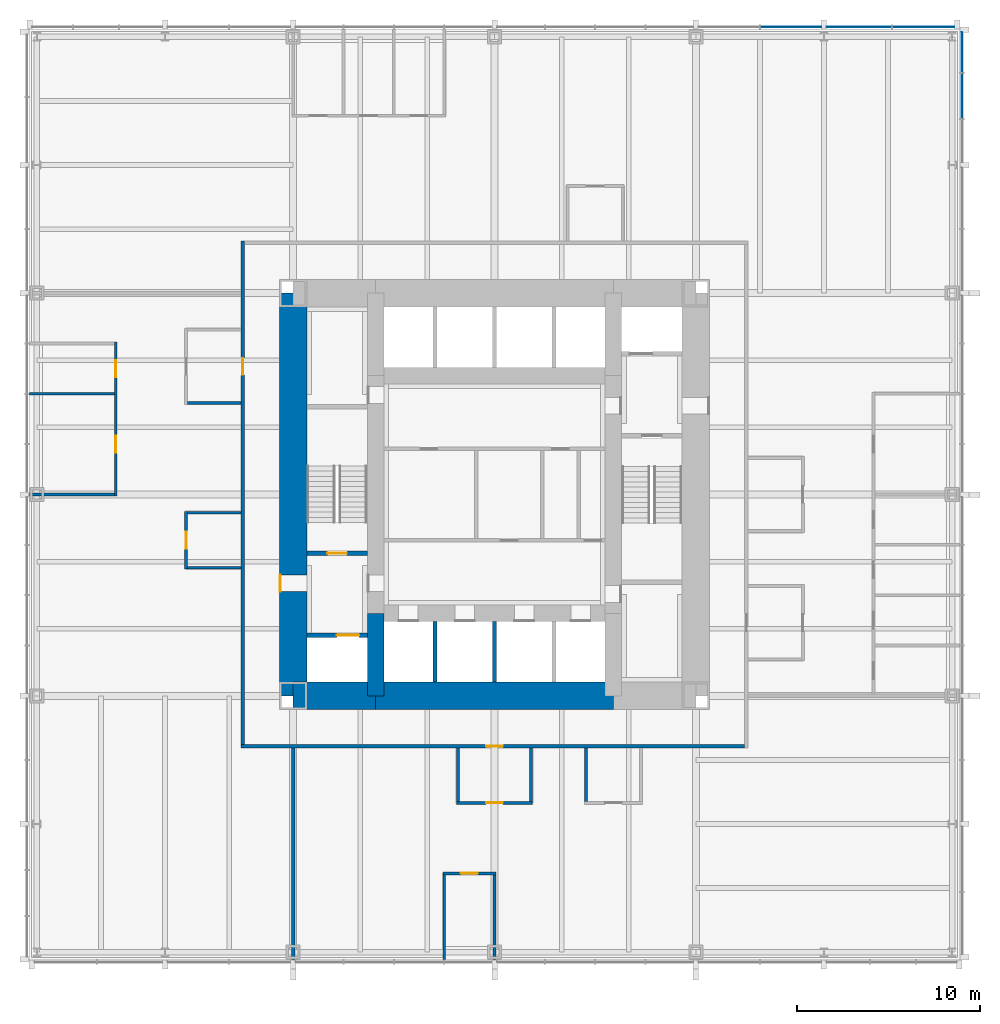
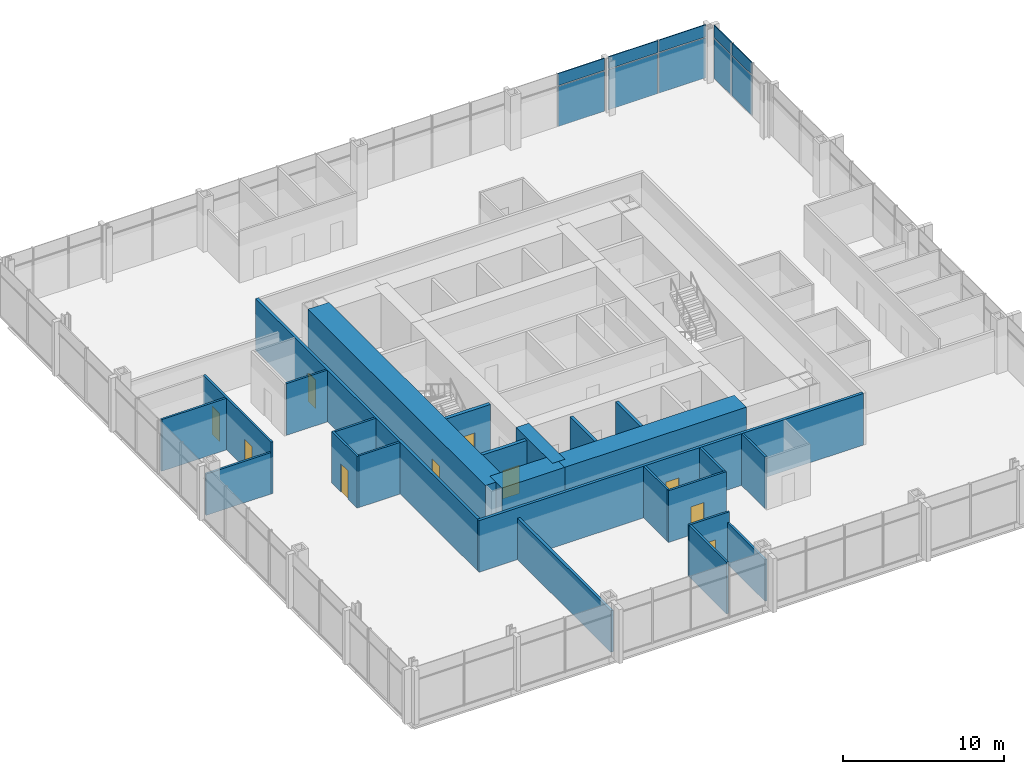
# One storey, part 9 of 12: 25 walls, 10 doors, 10 plates, 10 openings, 2 elements without a shape of their own.
"""IFC4 building model written with IfcOpenShell, lengths in metres."""

from ifc_helpers import new_model, si_unit, direction, frame, frame_2d, origin, origin_2d, place, context, subcontext, project, spatial, rectangle, extrude, material, layer, layer_set, type_object, element, fill, aggregate, save


model = new_model("IFC4")

# Units and contexts
model_context = context("Model", 3, precision=1e-05, world=origin(), true_north=direction((0.0, 1.0)))
body_context = subcontext(model_context, "Body", "Model", "MODEL_VIEW")
ifc_project = project(units=[si_unit("LENGTHUNIT", "METRE"), si_unit("AREAUNIT", "SQUARE_METRE"), si_unit("VOLUMEUNIT", "CUBIC_METRE"), si_unit("PLANEANGLEUNIT", "RADIAN"), si_unit("MASSUNIT", "GRAM", prefix="KILO")], contexts=[model_context])

# Site, building, storey
site_placement = place(None, origin())
site = spatial("IfcSite", under=ifc_project, at=site_placement, CompositionType="ELEMENT")
building_placement = place(site_placement, origin())
building = spatial("IfcBuilding", under=site, at=building_placement, Name="Trevanion Tower", CompositionType="ELEMENT")
storey_placement = place(building_placement, frame((0.0, 0.0, 32.39990234375)))
storey = spatial("IfcBuildingStorey", under=building, at=storey_placement, Name="L07", CompositionType="ELEMENT", Elevation=32.39990234375)

# Curtain wall, plates
ifc_material_1 = material(Name="Aluminium and glass", Category="aluminium")
curtain_wall_type = type_object("IfcCurtainWallType", Name="CW1 curtain wall", PredefinedType="USERDEFINED", material=ifc_material_1)
curtain_wall_1_placement = place(storey_placement, origin())
curtain_wall_1 = element("IfcCurtainWall", 1, at=curtain_wall_1_placement, inside=storey, type_object=curtain_wall_type, Name="CW1 L07 0", ObjectType="UNITISED CURTAIN WALL", PredefinedType="USERDEFINED")
ifc_material_2 = material(Name="Aluminium spandrel panel", Category="aluminium")
ifc_layer_1 = layer(ifc_material_2, 0.06005859375)
ifc_layer_set_1 = layer_set([ifc_layer_1], Name="CW1 spandrel panel")
plate_type_1 = type_object("IfcPlateType", Name="CW1 spandrel panel", PredefinedType="CURTAIN_PANEL", material=ifc_layer_set_1)
plate_1_placement = place(storey_placement, frame((25.550048828125, 21.77490234375, 2.99755859375), z_axis=(0.0, 0.0, 1.0), x_axis=(0.0, 1.0, 0.0)))
plate_1 = element("IfcPlate", 2, at=plate_1_placement, type_object=plate_type_1, Name="CW1 panel 16.2", PredefinedType="CURTAIN_PANEL", context=body_context, shape_type="SweptSolid", body=[
    extrude(rectangle(XDim=2.441650390625, YDim=0.06005859375, at=origin_2d()), origin(), (0.0, 0.0, 1.0), 0.91259765625),
])
plate_2_placement = place(storey_placement, frame((25.550048828125, 24.160400390625, 2.99755859375), z_axis=(0.0, 0.0, 1.0), x_axis=(0.0, 1.0, 0.0)))
plate_2 = element("IfcPlate", 3, at=plate_2_placement, type_object=plate_type_1, Name="CW1 panel 17.2", PredefinedType="CURTAIN_PANEL", context=body_context, shape_type="SweptSolid", body=[
    extrude(rectangle(XDim=2.17919921875, YDim=0.06005859375, at=origin_2d()), origin(), (0.0, 0.0, 1.0), 0.91259765625),
])

curtain_wall_2_placement = place(storey_placement, origin())
curtain_wall_2 = element("IfcCurtainWall", 4, at=curtain_wall_2_placement, inside=storey, type_object=curtain_wall_type, Name="CW1 L07 1", ObjectType="UNITISED CURTAIN WALL", PredefinedType="USERDEFINED")
plate_3_placement = place(storey_placement, frame((23.433837890625, 25.550048828125, 2.99755859375), z_axis=(0.0, 0.0, 1.0), x_axis=(-1.0, 0.0, 0.0)))
plate_3 = element("IfcPlate", 5, at=plate_3_placement, type_object=plate_type_1, Name="CW1 panel 1.2", PredefinedType="CURTAIN_PANEL", context=body_context, shape_type="SweptSolid", body=[
    extrude(rectangle(XDim=3.37255859375, YDim=0.06005859375, at=origin_2d()), origin(), (0.0, 0.0, 1.0), 0.91259765625),
])
plate_4_placement = place(storey_placement, frame((19.911376953125, 25.550048828125, 2.99755859375), z_axis=(0.0, 0.0, 1.0), x_axis=(-1.0, 0.0, 0.0)))
plate_4 = element("IfcPlate", 6, at=plate_4_placement, type_object=plate_type_1, Name="CW1 panel 2.2", PredefinedType="CURTAIN_PANEL", context=body_context, shape_type="SweptSolid", body=[
    extrude(rectangle(XDim=3.5224609375, YDim=0.06005859375, at=origin_2d()), origin(), (0.0, 0.0, 1.0), 0.91259765625),
])
plate_5_placement = place(storey_placement, frame((16.19384765625, 25.550048828125, 2.99755859375), z_axis=(0.0, 0.0, 1.0), x_axis=(-1.0, 0.0, 0.0)))
plate_5 = element("IfcPlate", 7, at=plate_5_placement, type_object=plate_type_1, Name="CW1 panel 3.2", PredefinedType="CURTAIN_PANEL", context=body_context, shape_type="SweptSolid", body=[
    extrude(rectangle(XDim=3.3125, YDim=0.06005859375, at=origin_2d()), origin(), (0.0, 0.0, 1.0), 0.91259765625),
])

# Plate
ifc_material_3 = material(Name="Insulating glass unit", Category="glass")
ifc_layer_2 = layer(ifc_material_3, 0.028076171875)
ifc_layer_set_2 = layer_set([ifc_layer_2], Name="CW1 vision panel")
plate_type_2 = type_object("IfcPlateType", Name="CW1 vision panel", PredefinedType="CURTAIN_PANEL", material=ifc_layer_set_2)
plate_6_placement = place(storey_placement, frame((25.550048828125, 21.77490234375, -0.114990234375), z_axis=(0.0, 0.0, 1.0), x_axis=(0.0, 1.0, 0.0)))
plate_6 = element("IfcPlate", 8, at=plate_6_placement, type_object=plate_type_2, Name="CW1 panel 16.1", PredefinedType="CURTAIN_PANEL", context=body_context, shape_type="SweptSolid", body=[
    extrude(rectangle(XDim=2.441650390625, YDim=0.028076171875, at=origin_2d()), origin(), (0.0, 0.0, 1.0), 3.03759765625),
])

plate_7_placement = place(storey_placement, frame((25.550048828125, 24.160400390625, -0.114990234375), z_axis=(0.0, 0.0, 1.0), x_axis=(0.0, 1.0, 0.0)))
plate_7 = element("IfcPlate", 9, at=plate_7_placement, type_object=plate_type_2, Name="CW1 panel 17.1", PredefinedType="CURTAIN_PANEL", context=body_context, shape_type="SweptSolid", body=[
    extrude(rectangle(XDim=2.17919921875, YDim=0.028076171875, at=origin_2d()), origin(), (0.0, 0.0, 1.0), 3.03759765625),
])

aggregate(curtain_wall_1, [plate_6, plate_1, plate_7, plate_2])

plate_8_placement = place(storey_placement, frame((23.433837890625, 25.550048828125, -0.114990234375), z_axis=(0.0, 0.0, 1.0), x_axis=(-1.0, 0.0, 0.0)))
plate_8 = element("IfcPlate", 10, at=plate_8_placement, type_object=plate_type_2, Name="CW1 panel 1.1", PredefinedType="CURTAIN_PANEL", context=body_context, shape_type="SweptSolid", body=[
    extrude(rectangle(XDim=3.37255859375, YDim=0.028076171875, at=origin_2d()), origin(), (0.0, 0.0, 1.0), 3.03759765625),
])

plate_9_placement = place(storey_placement, frame((19.911376953125, 25.550048828125, -0.114990234375), z_axis=(0.0, 0.0, 1.0), x_axis=(-1.0, 0.0, 0.0)))
plate_9 = element("IfcPlate", 11, at=plate_9_placement, type_object=plate_type_2, Name="CW1 panel 2.1", PredefinedType="CURTAIN_PANEL", context=body_context, shape_type="SweptSolid", body=[
    extrude(rectangle(XDim=3.5224609375, YDim=0.028076171875, at=origin_2d()), origin(), (0.0, 0.0, 1.0), 3.03759765625),
])

plate_10_placement = place(storey_placement, frame((16.19384765625, 25.550048828125, -0.114990234375), z_axis=(0.0, 0.0, 1.0), x_axis=(-1.0, 0.0, 0.0)))
plate_10 = element("IfcPlate", 12, at=plate_10_placement, type_object=plate_type_2, Name="CW1 panel 3.1", PredefinedType="CURTAIN_PANEL", context=body_context, shape_type="SweptSolid", body=[
    extrude(rectangle(XDim=3.3125, YDim=0.028076171875, at=origin_2d()), origin(), (0.0, 0.0, 1.0), 3.03759765625),
])

aggregate(curtain_wall_2, [plate_8, plate_3, plate_9, plate_4, plate_10, plate_5])

# Wall, opening, door
ifc_material_4 = material(Name="Concrete 10,000 psi", Category="concrete")
ifc_layer_3 = layer(ifc_material_4, 1.5)
ifc_layer_set_3 = layer_set([ifc_layer_3], Name="CW1 core wall 1500")
wall_type_1 = type_object("IfcWallType", Name="CW1 core wall 1500", PredefinedType="SHEAR", material=ifc_layer_set_3)
wall_1_placement = place(storey_placement, frame((-11.0, 11.0, 0.0), z_axis=(0.0, 0.0, 1.0), x_axis=(0.0, -1.0, 0.0)))
wall_1 = element("IfcWall", 13, at=wall_1_placement, inside=storey, type_object=wall_type_1, Name="CW1 CW L07", PredefinedType="SHEAR", context=body_context, shape_type="SweptSolid", body=[
    extrude(rectangle(XDim=22.0, YDim=1.5, at=frame_2d((11.0, 0.0))), origin(), (0.0, 0.0, 1.0), 4.10009765625),
])
opening_1_placement = place(wall_1_placement, frame((15.392578125, 0.0, 0.0)))
opening_1 = element("IfcOpeningElement", 14, at=opening_1_placement, cuts=wall_1, Name="Opening 07-002", PredefinedType="OPENING", context=body_context, shape_type="SweptSolid", body=[
    extrude(rectangle(XDim=0.9150390625, YDim=2.134033203125, at=frame_2d((0.45751953125, 1.06689453125))), frame((0.0, 0.760009765625, 0.0), z_axis=(0.0, -1.0, 0.0), x_axis=(1.0, 0.0, 0.0)), (0.0, 0.0, 1.0), 1.52001953125),
])
ifc_material_5 = material(Name="Hollow metal, fire rated", Category="steel")
door_type_1 = type_object("IfcDoorType", Name="D3 fire lift lobby door", OperationType="SINGLE_SWING_RIGHT", PredefinedType="DOOR", material=ifc_material_5)
door_1_placement = place(opening_1_placement, origin())
door_1 = element("IfcDoor", 15, at=door_1_placement, inside=storey, type_object=door_type_1, Name="Door 07-002", OperationType="SINGLE_SWING_RIGHT", OverallHeight=2.134033203125, OverallWidth=0.9150390625, PredefinedType="DOOR", context=body_context, shape_type="SweptSolid", body=[
    extrude(rectangle(XDim=0.9150390625, YDim=2.134033203125, at=frame_2d((0.45751953125, 1.06689453125))), frame((0.0, -0.6748046875, 0.0), z_axis=(0.0, -1.0, 0.0), x_axis=(1.0, 0.0, 0.0)), (0.0, 0.0, 1.0), 0.050048828125),
])
fill(opening_1, door_1)

# Walls
wall_2_placement = place(storey_placement, frame((-11.0, -11.0, 0.0), z_axis=(0.0, 0.0, 1.0), x_axis=(1.0, 0.0, 0.0)))
element("IfcWall", 16, at=wall_2_placement, inside=storey, type_object=wall_type_1, Name="CW1 CS1 L07", PredefinedType="SHEAR", context=body_context, shape_type="SweptSolid", body=[
    extrude(rectangle(XDim=4.5, YDim=1.5, at=frame_2d((2.25, 0.0))), origin(), (0.0, 0.0, 1.0), 4.10009765625),
])
wall_3_placement = place(storey_placement, frame((-6.5, -11.0, 0.0), z_axis=(0.0, 0.0, 1.0), x_axis=(1.0, 0.0, 0.0)))
element("IfcWall", 17, at=wall_3_placement, inside=storey, type_object=wall_type_1, Name="CW1 CS2 L07", PredefinedType="SHEAR", context=body_context, shape_type="SweptSolid", body=[
    extrude(rectangle(XDim=13.0, YDim=1.5, at=frame_2d((6.5, 0.0))), origin(), (0.0, 0.0, 1.0), 4.10009765625),
])
ifc_material_6 = material(Name="Concrete 10,000 psi", Category="concrete")
ifc_layer_4 = layer(ifc_material_6, 0.89990234375)
ifc_layer_set_4 = layer_set([ifc_layer_4], Name="CW2 core wall 900")
wall_type_2 = type_object("IfcWallType", Name="CW2 core wall 900", PredefinedType="SHEAR", material=ifc_layer_set_4)
wall_4_placement = place(storey_placement, frame((-6.5, -6.5, 0.0), z_axis=(0.0, 0.0, 1.0), x_axis=(0.0, -1.0, 0.0)))
element("IfcWall", 18, at=wall_4_placement, inside=storey, type_object=wall_type_2, Name="CW2 RW3 L07", PredefinedType="SHEAR", context=body_context, shape_type="SweptSolid", body=[
    extrude(rectangle(XDim=4.5, YDim=0.89990234375, at=frame_2d((2.25, 0.0))), origin(), (0.0, 0.0, 1.0), 4.10009765625),
])

# Wall, openings, doors
ifc_material_7 = material(Name="Gypsum board on steel studs", Category="steel")
ifc_layer_5 = layer(ifc_material_7, 0.14990234375)
ifc_layer_set_5 = layer_set([ifc_layer_5], Name="PT1 partition 150")
wall_type_3 = type_object("IfcWallType", Name="PT1 partition 150", PredefinedType="PARTITIONING", material=ifc_layer_set_5)
wall_5_placement = place(storey_placement, frame((-20.699951171875, 8.324951171875, 0.0), z_axis=(0.0, 0.0, 1.0), x_axis=(0.0, -1.0, 0.0)))
wall_5 = element("IfcWall", 19, at=wall_5_placement, inside=storey, type_object=wall_type_3, Name="PT1 L07 FC2F", PredefinedType="PARTITIONING", context=body_context, shape_type="SweptSolid", body=[
    extrude(rectangle(XDim=8.39990234375, YDim=0.14990234375, at=frame_2d((4.199951171875, 0.0))), origin(), (0.0, 0.0, 1.0), 3.91015625),
])
opening_2_placement = place(wall_5_placement, frame((0.992431640625, 0.0, 0.0)))
opening_2 = element("IfcOpeningElement", 20, at=opening_2_placement, cuts=wall_5, Name="Opening 07-027", PredefinedType="OPENING", context=body_context, shape_type="SweptSolid", body=[
    extrude(rectangle(XDim=0.9150390625, YDim=2.134033203125, at=frame_2d((0.45751953125, 1.06689453125))), frame((0.0, 0.0849609375, 0.0), z_axis=(0.0, -1.0, 0.0), x_axis=(1.0, 0.0, 0.0)), (0.0, 0.0, 1.0), 0.169921875),
])
opening_3_placement = place(wall_5_placement, frame((5.117431640625, 0.0, 0.0)))
opening_3 = element("IfcOpeningElement", 21, at=opening_3_placement, cuts=wall_5, Name="Opening 07-028", PredefinedType="OPENING", context=body_context, shape_type="SweptSolid", body=[
    extrude(rectangle(XDim=0.9150390625, YDim=2.134033203125, at=frame_2d((0.45751953125, 1.06689453125))), frame((0.0, 0.0849609375, 0.0), z_axis=(0.0, -1.0, 0.0), x_axis=(1.0, 0.0, 0.0)), (0.0, 0.0, 1.0), 0.169921875),
])
ifc_material_8 = material(Name="Timber veneer, solid core", Category="wood")
door_type_2 = type_object("IfcDoorType", Name="D1 office and meeting room door", OperationType="SINGLE_SWING_LEFT", PredefinedType="DOOR", material=ifc_material_8)
door_2_placement = place(opening_2_placement, origin())
door_2 = element("IfcDoor", 22, at=door_2_placement, inside=storey, type_object=door_type_2, Name="Door 07-027", OperationType="SINGLE_SWING_LEFT", OverallHeight=2.134033203125, OverallWidth=0.9150390625, PredefinedType="DOOR", context=body_context, shape_type="SweptSolid", body=[
    extrude(rectangle(XDim=0.9150390625, YDim=2.134033203125, at=frame_2d((0.45751953125, 1.06689453125))), frame((0.0, 0.02490234375, 0.0), z_axis=(0.0, -1.0, 0.0), x_axis=(1.0, 0.0, 0.0)), (0.0, 0.0, 1.0), 0.050048828125),
])
fill(opening_2, door_2)
door_3_placement = place(opening_3_placement, origin())
door_3 = element("IfcDoor", 23, at=door_3_placement, inside=storey, type_object=door_type_2, Name="Door 07-028", OperationType="SINGLE_SWING_LEFT", OverallHeight=2.134033203125, OverallWidth=0.9150390625, PredefinedType="DOOR", context=body_context, shape_type="SweptSolid", body=[
    extrude(rectangle(XDim=0.9150390625, YDim=2.134033203125, at=frame_2d((0.45751953125, 1.06689453125))), frame((0.0, 0.02490234375, 0.0), z_axis=(0.0, -1.0, 0.0), x_axis=(1.0, 0.0, 0.0)), (0.0, 0.0, 1.0), 0.050048828125),
])
fill(opening_3, door_3)

# Walls
wall_6_placement = place(storey_placement, frame((-20.77490234375, 5.5, 0.0), z_axis=(0.0, 0.0, 1.0), x_axis=(-1.0, 0.0, 0.0)))
element("IfcWall", 24, at=wall_6_placement, inside=storey, type_object=wall_type_3, Name="PT1 L07 FC2S1", PredefinedType="PARTITIONING", context=body_context, shape_type="SweptSolid", body=[
    extrude(rectangle(XDim=4.64013671875, YDim=0.14990234375, at=frame_2d((2.320068359375, 0.0))), origin(), (0.0, 0.0, 1.0), 3.91015625),
])
wall_7_placement = place(storey_placement, frame((-20.77490234375, 0.0, 0.0), z_axis=(0.0, 0.0, 1.0), x_axis=(-1.0, 0.0, 0.0)))
element("IfcWall", 25, at=wall_7_placement, inside=storey, type_object=wall_type_3, Name="PT1 L07 FC2S3", PredefinedType="PARTITIONING", context=body_context, shape_type="SweptSolid", body=[
    extrude(rectangle(XDim=4.64013671875, YDim=0.14990234375, at=frame_2d((2.320068359375, 0.0))), origin(), (0.0, 0.0, 1.0), 3.13037109375),
])

# Wall, opening, door
wall_8_placement = place(storey_placement, frame((-2.824951171875, -20.699951171875, 0.0), z_axis=(0.0, 0.0, 1.0), x_axis=(1.0, 0.0, 0.0)))
wall_8 = element("IfcWall", 26, at=wall_8_placement, inside=storey, type_object=wall_type_3, Name="PT1 L07 FC3F", PredefinedType="PARTITIONING", context=body_context, shape_type="SweptSolid", body=[
    extrude(rectangle(XDim=2.89990234375, YDim=0.14990234375, at=frame_2d((1.449951171875, 0.0))), origin(), (0.0, 0.0, 1.0), 3.91015625),
])
opening_4_placement = place(wall_8_placement, frame((0.992431640625, 0.0, 0.0)))
opening_4 = element("IfcOpeningElement", 27, at=opening_4_placement, cuts=wall_8, Name="Opening 07-029", PredefinedType="OPENING", context=body_context, shape_type="SweptSolid", body=[
    extrude(rectangle(XDim=0.9150390625, YDim=2.134033203125, at=frame_2d((0.45751953125, 1.06689453125))), frame((0.0, 0.0849609375, 0.0), z_axis=(0.0, -1.0, 0.0), x_axis=(1.0, 0.0, 0.0)), (0.0, 0.0, 1.0), 0.169921875),
])
door_4_placement = place(opening_4_placement, origin())
door_4 = element("IfcDoor", 28, at=door_4_placement, inside=storey, type_object=door_type_2, Name="Door 07-029", OperationType="SINGLE_SWING_LEFT", OverallHeight=2.134033203125, OverallWidth=0.9150390625, PredefinedType="DOOR", context=body_context, shape_type="SweptSolid", body=[
    extrude(rectangle(XDim=0.9150390625, YDim=2.134033203125, at=frame_2d((0.45751953125, 1.06689453125))), frame((0.0, 0.02490234375, 0.0), z_axis=(0.0, -1.0, 0.0), x_axis=(1.0, 0.0, 0.0)), (0.0, 0.0, 1.0), 0.050048828125),
])
fill(opening_4, door_4)

# Walls
wall_9_placement = place(storey_placement, frame((-2.75, -20.77490234375, 0.0), z_axis=(0.0, 0.0, 1.0), x_axis=(0.0, -1.0, 0.0)))
element("IfcWall", 29, at=wall_9_placement, inside=storey, type_object=wall_type_3, Name="PT1 L07 FC3S0", PredefinedType="PARTITIONING", context=body_context, shape_type="SweptSolid", body=[
    extrude(rectangle(XDim=4.64013671875, YDim=0.14990234375, at=frame_2d((2.320068359375, 0.0))), origin(), (0.0, 0.0, 1.0), 3.91015625),
])
wall_10_placement = place(storey_placement, frame((0.0, -20.77490234375, 0.0), z_axis=(0.0, 0.0, 1.0), x_axis=(0.0, -1.0, 0.0)))
element("IfcWall", 30, at=wall_10_placement, inside=storey, type_object=wall_type_3, Name="PT1 L07 FC3S1", PredefinedType="PARTITIONING", context=body_context, shape_type="SweptSolid", body=[
    extrude(rectangle(XDim=4.64013671875, YDim=0.14990234375, at=frame_2d((2.320068359375, 0.0))), origin(), (0.0, 0.0, 1.0), 3.13037109375),
])
wall_11_placement = place(storey_placement, frame((-16.77490234375, 5.0, 0.0), z_axis=(0.0, 0.0, 1.0), x_axis=(1.0, 0.0, 0.0)))
element("IfcWall", 31, at=wall_11_placement, inside=storey, type_object=wall_type_3, Name="PT1 L07 IN20S1", PredefinedType="PARTITIONING", context=body_context, shape_type="SweptSolid", body=[
    extrude(rectangle(XDim=2.9248046875, YDim=0.14990234375, at=frame_2d((1.46240234375, 0.0))), origin(), (0.0, 0.0, 1.0), 3.91015625),
])

# Wall, opening, door
wall_12_placement = place(storey_placement, frame((-16.85009765625, -0.925048828125, 0.0), z_axis=(0.0, 0.0, 1.0), x_axis=(0.0, -1.0, 0.0)))
wall_12 = element("IfcWall", 32, at=wall_12_placement, inside=storey, type_object=wall_type_3, Name="PT1 L07 IN21F", PredefinedType="PARTITIONING", context=body_context, shape_type="SweptSolid", body=[
    extrude(rectangle(XDim=3.14990234375, YDim=0.14990234375, at=frame_2d((1.574951171875, 0.0))), origin(), (0.0, 0.0, 1.0), 3.91015625),
])
opening_5_placement = place(wall_12_placement, frame((1.117431640625, 0.0, 0.0)))
opening_5 = element("IfcOpeningElement", 33, at=opening_5_placement, cuts=wall_12, Name="Opening 07-035", PredefinedType="OPENING", context=body_context, shape_type="SweptSolid", body=[
    extrude(rectangle(XDim=0.9150390625, YDim=2.134033203125, at=frame_2d((0.45751953125, 1.06689453125))), frame((0.0, 0.0849609375, 0.0), z_axis=(0.0, -1.0, 0.0), x_axis=(1.0, 0.0, 0.0)), (0.0, 0.0, 1.0), 0.169921875),
])
door_5_placement = place(opening_5_placement, origin())
door_5 = element("IfcDoor", 34, at=door_5_placement, inside=storey, type_object=door_type_2, Name="Door 07-035", OperationType="SINGLE_SWING_LEFT", OverallHeight=2.134033203125, OverallWidth=0.9150390625, PredefinedType="DOOR", context=body_context, shape_type="SweptSolid", body=[
    extrude(rectangle(XDim=0.9150390625, YDim=2.134033203125, at=frame_2d((0.45751953125, 1.06689453125))), frame((0.0, 0.02490234375, 0.0), z_axis=(0.0, -1.0, 0.0), x_axis=(1.0, 0.0, 0.0)), (0.0, 0.0, 1.0), 0.050048828125),
])
fill(opening_5, door_5)

# Walls
for number, where, z_axis, x_axis, name in (
    (35, (-16.77490234375, -1.0, 0.0), (0.0, 0.0, 1.0), (1.0, 0.0, 0.0), "PT1 L07 IN21S0"),
    (36, (-16.77490234375, -4.0, 0.0), (0.0, 0.0, 1.0), (1.0, 0.0, 0.0), "PT1 L07 IN21S1"),
):
    element("IfcWall", number, at=place(storey_placement, frame(where, z_axis=z_axis, x_axis=x_axis)), inside=storey, type_object=wall_type_3, Name=name, PredefinedType="PARTITIONING", context=body_context, shape_type="SweptSolid", body=[
        extrude(rectangle(XDim=2.9248046875, YDim=0.14990234375, at=frame_2d((1.46240234375, 0.0))), origin(), (0.0, 0.0, 1.0), 3.91015625),
    ])

# Wall, opening, door
wall_13_placement = place(storey_placement, frame((-2.074951171875, -16.85009765625, 0.0), z_axis=(0.0, 0.0, 1.0), x_axis=(1.0, 0.0, 0.0)))
wall_13 = element("IfcWall", 37, at=wall_13_placement, inside=storey, type_object=wall_type_3, Name="PT1 L07 IN30F", PredefinedType="PARTITIONING", context=body_context, shape_type="SweptSolid", body=[
    extrude(rectangle(XDim=4.14990234375, YDim=0.14990234375, at=frame_2d((2.074951171875, 0.0))), origin(), (0.0, 0.0, 1.0), 3.91015625),
])
opening_6_placement = place(wall_13_placement, frame((1.617431640625, 0.0, 0.0)))
opening_6 = element("IfcOpeningElement", 38, at=opening_6_placement, cuts=wall_13, Name="Opening 07-036", PredefinedType="OPENING", context=body_context, shape_type="SweptSolid", body=[
    extrude(rectangle(XDim=0.9150390625, YDim=2.134033203125, at=frame_2d((0.45751953125, 1.06689453125))), frame((0.0, 0.0849609375, 0.0), z_axis=(0.0, -1.0, 0.0), x_axis=(1.0, 0.0, 0.0)), (0.0, 0.0, 1.0), 0.169921875),
])
door_6_placement = place(opening_6_placement, origin())
door_6 = element("IfcDoor", 39, at=door_6_placement, inside=storey, type_object=door_type_2, Name="Door 07-036", OperationType="SINGLE_SWING_LEFT", OverallHeight=2.134033203125, OverallWidth=0.9150390625, PredefinedType="DOOR", context=body_context, shape_type="SweptSolid", body=[
    extrude(rectangle(XDim=0.9150390625, YDim=2.134033203125, at=frame_2d((0.45751953125, 1.06689453125))), frame((0.0, 0.02490234375, 0.0), z_axis=(0.0, -1.0, 0.0), x_axis=(1.0, 0.0, 0.0)), (0.0, 0.0, 1.0), 0.050048828125),
])
fill(opening_6, door_6)

# Walls
for number, where, z_axis, x_axis, name in (
    (40, (-2.0, -16.77490234375, 0.0), (0.0, 0.0, 1.0), (0.0, 1.0, 0.0), "PT1 L07 IN30S0"),
    (41, (2.0, -16.77490234375, 0.0), (0.0, 0.0, 1.0), (0.0, 1.0, 0.0), "PT1 L07 IN30S1"),
    (42, (5.0, -16.77490234375, 0.0), (0.0, 0.0, 1.0), (0.0, 1.0, 0.0), "PT1 L07 IN31S0"),
):
    element("IfcWall", number, at=place(storey_placement, frame(where, z_axis=z_axis, x_axis=x_axis)), inside=storey, type_object=wall_type_3, Name=name, PredefinedType="PARTITIONING", context=body_context, shape_type="SweptSolid", body=[
        extrude(rectangle(XDim=2.9248046875, YDim=0.14990234375, at=frame_2d((1.46240234375, 0.0))), origin(), (0.0, 0.0, 1.0), 3.91015625),
    ])

# Wall, opening, door
ifc_material_9 = material(Name="Concrete masonry, grouted", Category="masonry")
ifc_layer_6 = layer(ifc_material_9, 0.199951171875)
ifc_layer_set_6 = layer_set([ifc_layer_6], Name="PT2 partition 200 1 HR")
wall_type_4 = type_object("IfcWallType", Name="PT2 partition 200 1 HR", PredefinedType="PARTITIONING", material=ifc_layer_set_6)
wall_14_placement = place(storey_placement, frame((-13.75, 13.85009765625, 0.0), z_axis=(0.0, 0.0, 1.0), x_axis=(0.0, -1.0, 0.0)))
wall_14 = element("IfcWall", 43, at=wall_14_placement, inside=storey, type_object=wall_type_4, Name="PT2 L07 OC2", PredefinedType="PARTITIONING", context=body_context, shape_type="SweptSolid", body=[
    extrude(rectangle(XDim=27.5, YDim=0.199951171875, at=frame_2d((13.75, 0.0))), origin(), (0.0, 0.0, 1.0), 3.91015625),
])
opening_7_placement = place(wall_14_placement, frame((6.392578125, 0.0, 0.0)))
opening_7 = element("IfcOpeningElement", 44, at=opening_7_placement, cuts=wall_14, Name="Opening 07-034", PredefinedType="OPENING", context=body_context, shape_type="SweptSolid", body=[
    extrude(rectangle(XDim=0.9150390625, YDim=2.134033203125, at=frame_2d((0.45751953125, 1.06689453125))), frame((0.0, 0.10986328125, 0.0), z_axis=(0.0, -1.0, 0.0), x_axis=(1.0, 0.0, 0.0)), (0.0, 0.0, 1.0), 0.219970703125),
])
ifc_material_10 = material(Name="Timber veneer, fire rated", Category="wood")
door_type_3 = type_object("IfcDoorType", Name="D10 office door in a one hour wall", OperationType="SINGLE_SWING_LEFT", PredefinedType="DOOR", material=ifc_material_10)
door_7_placement = place(opening_7_placement, origin())
door_7 = element("IfcDoor", 45, at=door_7_placement, inside=storey, type_object=door_type_3, Name="Door 07-034", OperationType="SINGLE_SWING_LEFT", OverallHeight=2.134033203125, OverallWidth=0.9150390625, PredefinedType="DOOR", context=body_context, shape_type="SweptSolid", body=[
    extrude(rectangle(XDim=0.9150390625, YDim=2.134033203125, at=frame_2d((0.45751953125, 1.06689453125))), frame((0.0, 0.02490234375, 0.0), z_axis=(0.0, -1.0, 0.0), x_axis=(1.0, 0.0, 0.0)), (0.0, 0.0, 1.0), 0.050048828125),
])
fill(opening_7, door_7)

wall_15_placement = place(storey_placement, frame((-13.85009765625, -13.75, 0.0), z_axis=(0.0, 0.0, 1.0), x_axis=(1.0, 0.0, 0.0)))
wall_15 = element("IfcWall", 46, at=wall_15_placement, inside=storey, type_object=wall_type_4, Name="PT2 L07 OC3", PredefinedType="PARTITIONING", context=body_context, shape_type="SweptSolid", body=[
    extrude(rectangle(XDim=27.5, YDim=0.199951171875, at=frame_2d((13.75, 0.0))), origin(), (0.0, 0.0, 1.0), 3.91015625),
])
opening_8_placement = place(wall_15_placement, frame((13.392578125, 0.0, 0.0)))
opening_8 = element("IfcOpeningElement", 47, at=opening_8_placement, cuts=wall_15, Name="Opening 07-037", PredefinedType="OPENING", context=body_context, shape_type="SweptSolid", body=[
    extrude(rectangle(XDim=0.9150390625, YDim=2.134033203125, at=frame_2d((0.45751953125, 1.06689453125))), frame((0.0, 0.10986328125, 0.0), z_axis=(0.0, -1.0, 0.0), x_axis=(1.0, 0.0, 0.0)), (0.0, 0.0, 1.0), 0.219970703125),
])
door_8_placement = place(opening_8_placement, origin())
door_8 = element("IfcDoor", 48, at=door_8_placement, inside=storey, type_object=door_type_3, Name="Door 07-037", OperationType="SINGLE_SWING_LEFT", OverallHeight=2.134033203125, OverallWidth=0.9150390625, PredefinedType="DOOR", context=body_context, shape_type="SweptSolid", body=[
    extrude(rectangle(XDim=0.9150390625, YDim=2.134033203125, at=frame_2d((0.45751953125, 1.06689453125))), frame((0.0, 0.02490234375, 0.0), z_axis=(0.0, -1.0, 0.0), x_axis=(1.0, 0.0, 0.0)), (0.0, 0.0, 1.0), 0.050048828125),
])
fill(opening_8, door_8)

# Walls
wall_16_placement = place(storey_placement, frame((-11.0, -13.85009765625, 0.0), z_axis=(0.0, 0.0, 1.0), x_axis=(0.0, -1.0, 0.0)))
element("IfcWall", 49, at=wall_16_placement, inside=storey, type_object=wall_type_4, Name="PT2 L07 DM2", PredefinedType="PARTITIONING", context=body_context, shape_type="SweptSolid", body=[
    extrude(rectangle(XDim=11.56494140625, YDim=0.199951171875, at=frame_2d((5.782470703125, 0.0))), origin(), (0.0, 0.0, 1.0), 3.13037109375),
])
ifc_material_11 = material(Name="Concrete masonry, grouted", Category="masonry")
ifc_layer_7 = layer(ifc_material_11, 0.199951171875)
ifc_layer_set_7 = layer_set([ifc_layer_7], Name="PT2 partition 200 2 HR")
wall_type_5 = type_object("IfcWallType", Name="PT2 partition 200 2 HR", PredefinedType="PARTITIONING", material=ifc_layer_set_7)
for number, where, z_axis, x_axis, name in (
    (50, (-3.25, -10.25, 0.0), (0.0, 0.0, 1.0), (0.0, 1.0, 0.0), "PT2 L07 SS0"),
    (51, (0.0, -10.25, 0.0), (0.0, 0.0, 1.0), (0.0, 1.0, 0.0), "PT2 L07 SS1"),
):
    element("IfcWall", number, at=place(storey_placement, frame(where, z_axis=z_axis, x_axis=x_axis)), inside=storey, type_object=wall_type_5, Name=name, PredefinedType="PARTITIONING", context=body_context, shape_type="SweptSolid", body=[
        extrude(rectangle(XDim=3.300048828125, YDim=0.199951171875, at=frame_2d((1.64990234375, 0.0))), origin(), (0.0, 0.0, 1.0), 3.91015625),
    ])

# Wall, opening, door
ifc_material_12 = material(Name="Concrete masonry, grouted, two-hour", Category="masonry")
ifc_layer_8 = layer(ifc_material_12, 0.25)
ifc_layer_set_8 = layer_set([ifc_layer_8], Name="PT3 partition 250 2 HR")
wall_type_6 = type_object("IfcWallType", Name="PT3 partition 250 2 HR", PredefinedType="PARTITIONING", material=ifc_layer_set_8)
wall_17_placement = place(storey_placement, frame((-6.949951171875, -7.699951171875, 0.0), z_axis=(0.0, 0.0, 1.0), x_axis=(-1.0, 0.0, 0.0)))
wall_17 = element("IfcWall", 52, at=wall_17_placement, inside=storey, type_object=wall_type_6, Name="PT3 L07 WP3", PredefinedType="PARTITIONING", context=body_context, shape_type="SweptSolid", body=[
    extrude(rectangle(XDim=3.300048828125, YDim=0.25, at=frame_2d((1.64990234375, 0.0))), origin(), (0.0, 0.0, 1.0), 3.91015625),
])
opening_9_placement = place(wall_17_placement, frame((0.449951171875, 0.0, 0.0)))
opening_9 = element("IfcOpeningElement", 53, at=opening_9_placement, cuts=wall_17, Name="Opening 07-008", PredefinedType="OPENING", context=body_context, shape_type="SweptSolid", body=[
    extrude(rectangle(XDim=1.218994140625, YDim=2.134033203125, at=frame_2d((0.609375, 1.06689453125))), frame((0.0, 0.135009765625, 0.0), z_axis=(0.0, -1.0, 0.0), x_axis=(1.0, 0.0, 0.0)), (0.0, 0.0, 1.0), 0.27001953125),
])
ifc_material_13 = material(Name="Stainless steel, fire rated", Category="steel")
door_type_4 = type_object("IfcDoorType", Name="LD2 fire service lift landing door", OperationType="SLIDING_TO_LEFT", PredefinedType="DOOR", material=ifc_material_13)
door_9_placement = place(opening_9_placement, origin())
door_9 = element("IfcDoor", 54, at=door_9_placement, inside=storey, type_object=door_type_4, Name="Door 07-008", OperationType="SLIDING_TO_LEFT", OverallHeight=2.134033203125, OverallWidth=1.218994140625, PredefinedType="DOOR", context=body_context, shape_type="SweptSolid", body=[
    extrude(rectangle(XDim=1.218994140625, YDim=2.134033203125, at=frame_2d((0.609375, 1.06689453125))), frame((0.0, 0.02490234375, 0.0), z_axis=(0.0, -1.0, 0.0), x_axis=(1.0, 0.0, 0.0)), (0.0, 0.0, 1.0), 0.050048828125),
])
fill(opening_9, door_9)

ifc_material_14 = material(Name="Reinforced masonry, fully grouted", Category="masonry")
ifc_layer_9 = layer(ifc_material_14, 0.25)
ifc_layer_set_9 = layer_set([ifc_layer_9], Name="SW1 stair shaft wall 250")
wall_type_7 = type_object("IfcWallType", Name="SW1 stair shaft wall 250", PredefinedType="SOLIDWALL", material=ifc_layer_set_9)
wall_18_placement = place(storey_placement, frame((-6.949951171875, -3.199951171875, 0.0), z_axis=(0.0, 0.0, 1.0), x_axis=(-1.0, 0.0, 0.0)))
wall_18 = element("IfcWall", 55, at=wall_18_placement, inside=storey, type_object=wall_type_7, Name="SW1 L07 WP2", PredefinedType="SOLIDWALL", context=body_context, shape_type="SweptSolid", body=[
    extrude(rectangle(XDim=3.300048828125, YDim=0.25, at=frame_2d((1.64990234375, 0.0))), origin(), (0.0, 0.0, 1.0), 3.91015625),
])
opening_10_placement = place(wall_18_placement, frame((1.116455078125, 0.0, 0.0)))
opening_10 = element("IfcOpeningElement", 56, at=opening_10_placement, cuts=wall_18, Name="Opening 07-006", PredefinedType="OPENING", context=body_context, shape_type="SweptSolid", body=[
    extrude(rectangle(XDim=1.06689453125, YDim=2.134033203125, at=frame_2d((0.533447265625, 1.06689453125))), frame((0.0, 0.135009765625, 0.0), z_axis=(0.0, -1.0, 0.0), x_axis=(1.0, 0.0, 0.0)), (0.0, 0.0, 1.0), 0.27001953125),
])
ifc_material_15 = material(Name="Hollow metal, fire rated", Category="steel")
door_type_5 = type_object("IfcDoorType", Name="D2 exit stair door", OperationType="SINGLE_SWING_LEFT", PredefinedType="DOOR", material=ifc_material_15)
door_10_placement = place(opening_10_placement, origin())
door_10 = element("IfcDoor", 57, at=door_10_placement, inside=storey, type_object=door_type_5, Name="Door 07-006", OperationType="SINGLE_SWING_LEFT", OverallHeight=2.134033203125, OverallWidth=1.06689453125, PredefinedType="DOOR", context=body_context, shape_type="SweptSolid", body=[
    extrude(rectangle(XDim=1.06689453125, YDim=2.134033203125, at=frame_2d((0.533447265625, 1.06689453125))), frame((0.0, 0.02490234375, 0.0), z_axis=(0.0, -1.0, 0.0), x_axis=(1.0, 0.0, 0.0)), (0.0, 0.0, 1.0), 0.050048828125),
])
fill(opening_10, door_10)

save(model, "model.ifc")
